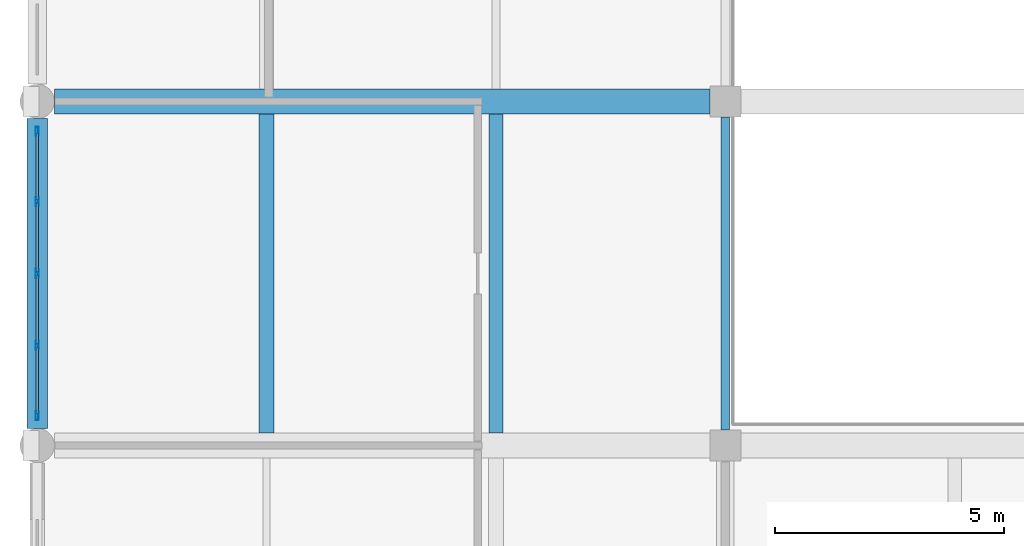
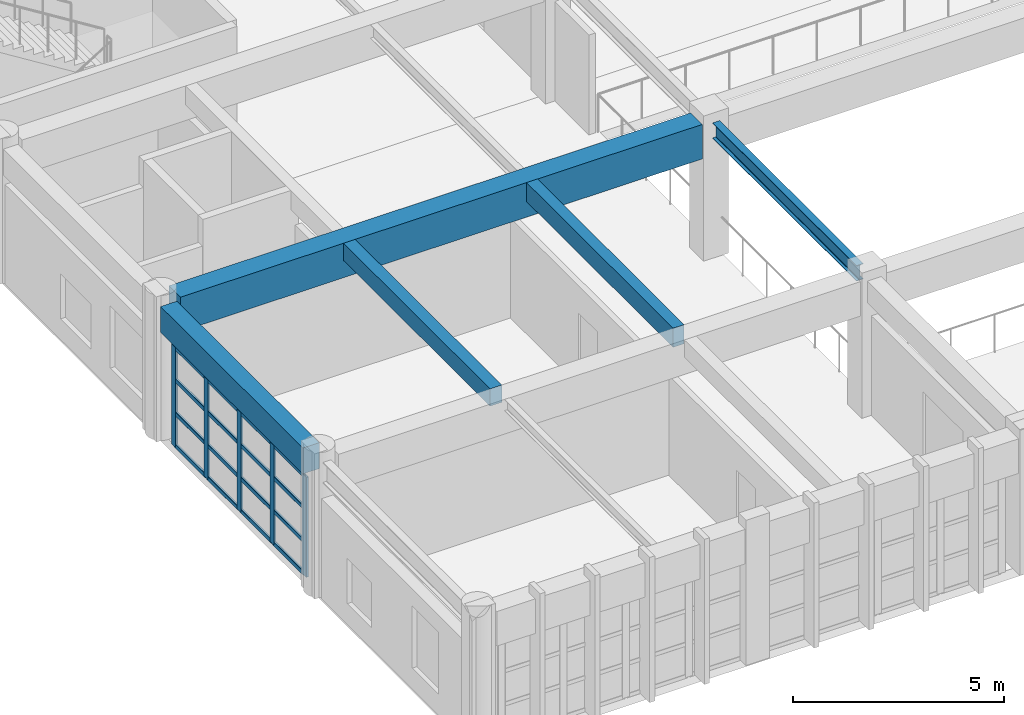
# One storey, part 5 of 132: 21 members, 5 beams, 1 element without a shape of its own.
"""IFC4 building model written with IfcOpenShell, lengths in metres."""

from ifc_helpers import new_model, si_unit, direction, frame, origin, origin_2d, place, context, subcontext, project, spatial, rectangle, hollow_rectangle, i_section, extrude, material, material_profile, profile_set, type_object, element, aggregate, save


model = new_model("IFC4")

# Units and contexts
model_context = context("Model", 3, precision=1e-05, world=origin(), true_north=direction((0.0, 1.0)))
body_context = subcontext(model_context, "Body", "Model", "MODEL_VIEW")
ifc_project = project(units=[si_unit("LENGTHUNIT", "METRE"), si_unit("AREAUNIT", "SQUARE_METRE"), si_unit("VOLUMEUNIT", "CUBIC_METRE"), si_unit("PLANEANGLEUNIT", "RADIAN"), si_unit("MASSUNIT", "GRAM", prefix="KILO")], contexts=[model_context])

# Site, building, storey
site_placement = place(None, origin())
site = spatial("IfcSite", under=ifc_project, at=site_placement, CompositionType="ELEMENT")
building_placement = place(site_placement, origin())
building = spatial("IfcBuilding", under=site, at=building_placement, Name="Qasida Concert Hall", CompositionType="ELEMENT")
storey_placement = place(building_placement, frame((0.0, 0.0, 4.800048828125)))
storey = spatial("IfcBuildingStorey", under=building, at=storey_placement, Name="L01", CompositionType="ELEMENT", Elevation=4.800048828125)

# Beams
ifc_material_1 = material(Name="Steel S355J2", Category="steel")
ifc_material_profile_1 = material_profile(ifc_material_1, i_section(OverallWidth=0.18994140625, OverallDepth=0.449951171875, WebThickness=0.009521484375, FlangeThickness=0.0146484375, FilletRadius=0.02099609375, at=origin_2d()), Name="IPE 450")
ifc_profile_set_1 = profile_set([ifc_material_profile_1], Name="Steel S355J2")
beam_type_1 = type_object("IfcBeamType", Name="BM-B5", PredefinedType="BEAM", material=ifc_profile_set_1)
beam_1_placement = place(storey_placement, frame((15.0, 7.840087890625, 3.695068359375), z_axis=(0.0, 1.0, 0.0), x_axis=(-1.0, 0.0, 0.0)))
element("IfcBeam", 1, at=beam_1_placement, inside=storey, type_object=beam_type_1, Name="L01 girder 0928", PredefinedType="BEAM", context=body_context, shape_type="SweptSolid", body=[
    extrude(i_section(OverallWidth=0.18994140625, OverallDepth=0.449951171875, WebThickness=0.009521484375, FlangeThickness=0.0146484375, FilletRadius=0.02099609375, at=origin_2d()), origin(), (0.0, 0.0, 1.0), 6.81982421875),
])
ifc_material_2 = material(Name="Concrete C40/50", Category="concrete")
ifc_material_profile_2 = material_profile(ifc_material_2, rectangle(XDim=0.550048828125, YDim=1.0, at=origin_2d()), Name="RC 550x1000")
ifc_profile_set_2 = profile_set([ifc_material_profile_2], Name="Concrete C40/50")
beam_type_2 = type_object("IfcBeamType", Name="BM-G3", PredefinedType="USERDEFINED", material=ifc_profile_set_2)
beam_2_placement = place(storey_placement, frame((0.375, 15.0, 3.419921875), z_axis=(1.0, 0.0, 0.0), x_axis=(0.0, 1.0, 0.0)))
element("IfcBeam", 2, at=beam_2_placement, inside=storey, type_object=beam_type_2, Name="Primary girder 0902", ObjectType="GIRDER", PredefinedType="USERDEFINED", context=body_context, shape_type="SweptSolid", body=[
    extrude(rectangle(XDim=0.550048828125, YDim=1.0, at=origin_2d()), origin(), (0.0, 0.0, 1.0), 14.284912109375),
])
ifc_material_profile_3 = material_profile(ifc_material_2, rectangle(XDim=0.300048828125, YDim=0.550048828125, at=origin_2d()), Name="RC 300x550")
ifc_profile_set_3 = profile_set([ifc_material_profile_3], Name="Concrete C40/50")
beam_type_3 = type_object("IfcBeamType", Name="BM-J1", PredefinedType="JOIST", material=ifc_profile_set_3)
beam_3_placement = place(storey_placement, frame((10.0, 7.77490234375, 3.64501953125), z_axis=(0.0, 1.0, 0.0), x_axis=(-1.0, 0.0, 0.0)))
element("IfcBeam", 3, at=beam_3_placement, inside=storey, type_object=beam_type_3, Name="L01 secondary joist 0951", PredefinedType="JOIST", context=body_context, shape_type="SweptSolid", body=[
    extrude(rectangle(XDim=0.300048828125, YDim=0.550048828125, at=origin_2d()), origin(), (0.0, 0.0, 1.0), 6.9501953125),
])
ifc_material_profile_4 = material_profile(ifc_material_2, rectangle(XDim=0.320068359375, YDim=0.5, at=origin_2d()), Name="RC 320x500")
ifc_profile_set_4 = profile_set([ifc_material_profile_4], Name="Concrete C40/50")
beam_type_4 = type_object("IfcBeamType", Name="BM-J7", PredefinedType="JOIST", material=ifc_profile_set_4)
beam_4_placement = place(storey_placement, frame((5.0, 7.77490234375, 3.669921875), z_axis=(0.0, 1.0, 0.0), x_axis=(-1.0, 0.0, 0.0)))
element("IfcBeam", 4, at=beam_4_placement, inside=storey, type_object=beam_type_4, Name="L01 secondary joist 0950", PredefinedType="JOIST", context=body_context, shape_type="SweptSolid", body=[
    extrude(rectangle(XDim=0.320068359375, YDim=0.5, at=origin_2d()), origin(), (0.0, 0.0, 1.0), 6.9501953125),
])
ifc_material_profile_5 = material_profile(ifc_material_2, rectangle(XDim=0.449951171875, YDim=0.75, at=origin_2d()), Name="RC 450x750")
ifc_profile_set_5 = profile_set([ifc_material_profile_5], Name="Concrete C40/50")
beam_type_5 = type_object("IfcBeamType", Name="BM-SP4", PredefinedType="SPANDREL", material=ifc_profile_set_5)
beam_5_placement = place(storey_placement, frame((0.0, 7.875, 3.544921875), z_axis=(0.0, 1.0, 0.0), x_axis=(-1.0, 0.0, 0.0)))
element("IfcBeam", 5, at=beam_5_placement, inside=storey, type_object=beam_type_5, Name="L01 girder 0921", PredefinedType="SPANDREL", context=body_context, shape_type="SweptSolid", body=[
    extrude(rectangle(XDim=0.449951171875, YDim=0.75, at=origin_2d()), origin(), (0.0, 0.0, 1.0), 6.75),
])

# Curtain wall, members
ifc_material_3 = material(Name="Architectural bronze-anodized aluminium and low-E glass", Category="aluminium")
curtain_wall_type = type_object("IfcCurtainWallType", Name="CW-07", PredefinedType="NOTDEFINED", material=ifc_material_3)
curtain_wall_placement = place(storey_placement, origin())
curtain_wall = element("IfcCurtainWall", 6, at=curtain_wall_placement, inside=storey, type_object=curtain_wall_type, Name="L01 curtain wall CW-07 0092", PredefinedType="NOTDEFINED")
ifc_material_4 = material(Name="Architectural bronze-anodized aluminium EN AW-6063", Category="aluminium")
ifc_material_profile_6 = material_profile(ifc_material_4, hollow_rectangle(XDim=0.06494140625, YDim=0.199951171875, WallThickness=0.0048828125, InnerFilletRadius=0.0048828125, OuterFilletRadius=0.010009765625, at=origin_2d()), Name="CWM 200x65x5")
ifc_profile_set_6 = profile_set([ifc_material_profile_6], Name="Architectural bronze-anodized aluminium EN AW-6063")
member_type_1 = type_object("IfcMemberType", Name="MB-CWM-2", PredefinedType="MULLION", material=ifc_profile_set_6)
member_1_placement = place(storey_placement, frame((0.0, 8.152587890625, 0.0), z_axis=(0.0, 0.0, 1.0), x_axis=(-1.0, 0.0, 0.0)))
member_1 = element("IfcMember", 7, at=member_1_placement, type_object=member_type_1, Name="CW-07 mullion 1", PredefinedType="MULLION", context=body_context, shape_type="SweptSolid", body=[
    extrude(hollow_rectangle(XDim=0.06494140625, YDim=0.199951171875, WallThickness=0.0048828125, InnerFilletRadius=0.0048828125, OuterFilletRadius=0.010009765625, at=origin_2d()), origin(), (0.0, 0.0, 1.0), 2.889892578125),
])
member_2_placement = place(storey_placement, frame((0.0, 9.68505859375, 0.0), z_axis=(0.0, 0.0, 1.0), x_axis=(-1.0, 0.0, 0.0)))
member_2 = element("IfcMember", 8, at=member_2_placement, type_object=member_type_1, Name="CW-07 mullion 2", PredefinedType="MULLION", context=body_context, shape_type="SweptSolid", body=[
    extrude(hollow_rectangle(XDim=0.06494140625, YDim=0.199951171875, WallThickness=0.0048828125, InnerFilletRadius=0.0048828125, OuterFilletRadius=0.010009765625, at=origin_2d()), origin(), (0.0, 0.0, 1.0), 2.889892578125),
])
member_3_placement = place(storey_placement, frame((0.0, 11.25, 0.0), z_axis=(0.0, 0.0, 1.0), x_axis=(-1.0, 0.0, 0.0)))
member_3 = element("IfcMember", 9, at=member_3_placement, type_object=member_type_1, Name="CW-07 mullion 3", PredefinedType="MULLION", context=body_context, shape_type="SweptSolid", body=[
    extrude(hollow_rectangle(XDim=0.06494140625, YDim=0.199951171875, WallThickness=0.0048828125, InnerFilletRadius=0.0048828125, OuterFilletRadius=0.010009765625, at=origin_2d()), origin(), (0.0, 0.0, 1.0), 2.889892578125),
])
member_4_placement = place(storey_placement, frame((0.0, 12.81494140625, 0.0), z_axis=(0.0, 0.0, 1.0), x_axis=(-1.0, 0.0, 0.0)))
member_4 = element("IfcMember", 10, at=member_4_placement, type_object=member_type_1, Name="CW-07 mullion 4", PredefinedType="MULLION", context=body_context, shape_type="SweptSolid", body=[
    extrude(hollow_rectangle(XDim=0.06494140625, YDim=0.199951171875, WallThickness=0.0048828125, InnerFilletRadius=0.0048828125, OuterFilletRadius=0.010009765625, at=origin_2d()), origin(), (0.0, 0.0, 1.0), 2.889892578125),
])
member_5_placement = place(storey_placement, frame((0.0, 14.347412109375, 0.0), z_axis=(0.0, 0.0, 1.0), x_axis=(-1.0, 0.0, 0.0)))
member_5 = element("IfcMember", 11, at=member_5_placement, type_object=member_type_1, Name="CW-07 mullion 5", PredefinedType="MULLION", context=body_context, shape_type="SweptSolid", body=[
    extrude(hollow_rectangle(XDim=0.06494140625, YDim=0.199951171875, WallThickness=0.0048828125, InnerFilletRadius=0.0048828125, OuterFilletRadius=0.010009765625, at=origin_2d()), origin(), (0.0, 0.0, 1.0), 2.889892578125),
])
ifc_material_profile_7 = material_profile(ifc_material_4, hollow_rectangle(XDim=0.06005859375, YDim=0.1201171875, WallThickness=0.00390625, InnerFilletRadius=0.00390625, OuterFilletRadius=0.008056640625, at=origin_2d()), Name="CWT 120x60x4")
ifc_profile_set_7 = profile_set([ifc_material_profile_7], Name="Architectural bronze-anodized aluminium EN AW-6063")
member_type_2 = type_object("IfcMemberType", Name="MB-CWT-2", PredefinedType="USERDEFINED", material=ifc_profile_set_7)
member_6_placement = place(storey_placement, frame((0.0, 8.18505859375, 0.030029296875), z_axis=(0.0, 1.0, 0.0), x_axis=(-1.0, 0.0, 0.0)))
member_6 = element("IfcMember", 12, at=member_6_placement, type_object=member_type_2, Name="CW-07 transom 1.1", ObjectType="TRANSOM", PredefinedType="USERDEFINED", context=body_context, shape_type="SweptSolid", body=[
    extrude(hollow_rectangle(XDim=0.06005859375, YDim=0.1201171875, WallThickness=0.00390625, InnerFilletRadius=0.00390625, OuterFilletRadius=0.008056640625, at=origin_2d()), origin(), (0.0, 0.0, 1.0), 1.467529296875),
])
member_7_placement = place(storey_placement, frame((0.0, 8.18505859375, 0.963134765625), z_axis=(0.0, 1.0, 0.0), x_axis=(-1.0, 0.0, 0.0)))
member_7 = element("IfcMember", 13, at=member_7_placement, type_object=member_type_2, Name="CW-07 transom 1.2", ObjectType="TRANSOM", PredefinedType="USERDEFINED", context=body_context, shape_type="SweptSolid", body=[
    extrude(hollow_rectangle(XDim=0.06005859375, YDim=0.1201171875, WallThickness=0.00390625, InnerFilletRadius=0.00390625, OuterFilletRadius=0.008056640625, at=origin_2d()), origin(), (0.0, 0.0, 1.0), 1.467529296875),
])
member_8_placement = place(storey_placement, frame((0.0, 8.18505859375, 1.9267578125), z_axis=(0.0, 1.0, 0.0), x_axis=(-1.0, 0.0, 0.0)))
member_8 = element("IfcMember", 14, at=member_8_placement, type_object=member_type_2, Name="CW-07 transom 1.3", ObjectType="TRANSOM", PredefinedType="USERDEFINED", context=body_context, shape_type="SweptSolid", body=[
    extrude(hollow_rectangle(XDim=0.06005859375, YDim=0.1201171875, WallThickness=0.00390625, InnerFilletRadius=0.00390625, OuterFilletRadius=0.008056640625, at=origin_2d()), origin(), (0.0, 0.0, 1.0), 1.467529296875),
])
member_9_placement = place(storey_placement, frame((0.0, 8.18505859375, 2.85986328125), z_axis=(0.0, 1.0, 0.0), x_axis=(-1.0, 0.0, 0.0)))
member_9 = element("IfcMember", 15, at=member_9_placement, type_object=member_type_2, Name="CW-07 transom 1.4", ObjectType="TRANSOM", PredefinedType="USERDEFINED", context=body_context, shape_type="SweptSolid", body=[
    extrude(hollow_rectangle(XDim=0.06005859375, YDim=0.1201171875, WallThickness=0.00390625, InnerFilletRadius=0.00390625, OuterFilletRadius=0.008056640625, at=origin_2d()), origin(), (0.0, 0.0, 1.0), 1.467529296875),
])
member_10_placement = place(storey_placement, frame((0.0, 9.717529296875, 0.030029296875), z_axis=(0.0, 1.0, 0.0), x_axis=(-1.0, 0.0, 0.0)))
member_10 = element("IfcMember", 16, at=member_10_placement, type_object=member_type_2, Name="CW-07 transom 2.1", ObjectType="TRANSOM", PredefinedType="USERDEFINED", context=body_context, shape_type="SweptSolid", body=[
    extrude(hollow_rectangle(XDim=0.06005859375, YDim=0.1201171875, WallThickness=0.00390625, InnerFilletRadius=0.00390625, OuterFilletRadius=0.008056640625, at=origin_2d()), origin(), (0.0, 0.0, 1.0), 1.5),
])
member_11_placement = place(storey_placement, frame((0.0, 9.717529296875, 0.963134765625), z_axis=(0.0, 1.0, 0.0), x_axis=(-1.0, 0.0, 0.0)))
member_11 = element("IfcMember", 17, at=member_11_placement, type_object=member_type_2, Name="CW-07 transom 2.2", ObjectType="TRANSOM", PredefinedType="USERDEFINED", context=body_context, shape_type="SweptSolid", body=[
    extrude(hollow_rectangle(XDim=0.06005859375, YDim=0.1201171875, WallThickness=0.00390625, InnerFilletRadius=0.00390625, OuterFilletRadius=0.008056640625, at=origin_2d()), origin(), (0.0, 0.0, 1.0), 1.5),
])
member_12_placement = place(storey_placement, frame((0.0, 9.717529296875, 1.9267578125), z_axis=(0.0, 1.0, 0.0), x_axis=(-1.0, 0.0, 0.0)))
member_12 = element("IfcMember", 18, at=member_12_placement, type_object=member_type_2, Name="CW-07 transom 2.3", ObjectType="TRANSOM", PredefinedType="USERDEFINED", context=body_context, shape_type="SweptSolid", body=[
    extrude(hollow_rectangle(XDim=0.06005859375, YDim=0.1201171875, WallThickness=0.00390625, InnerFilletRadius=0.00390625, OuterFilletRadius=0.008056640625, at=origin_2d()), origin(), (0.0, 0.0, 1.0), 1.5),
])
member_13_placement = place(storey_placement, frame((0.0, 9.717529296875, 2.85986328125), z_axis=(0.0, 1.0, 0.0), x_axis=(-1.0, 0.0, 0.0)))
member_13 = element("IfcMember", 19, at=member_13_placement, type_object=member_type_2, Name="CW-07 transom 2.4", ObjectType="TRANSOM", PredefinedType="USERDEFINED", context=body_context, shape_type="SweptSolid", body=[
    extrude(hollow_rectangle(XDim=0.06005859375, YDim=0.1201171875, WallThickness=0.00390625, InnerFilletRadius=0.00390625, OuterFilletRadius=0.008056640625, at=origin_2d()), origin(), (0.0, 0.0, 1.0), 1.5),
])
member_14_placement = place(storey_placement, frame((0.0, 11.282470703125, 0.030029296875), z_axis=(0.0, 1.0, 0.0), x_axis=(-1.0, 0.0, 0.0)))
member_14 = element("IfcMember", 20, at=member_14_placement, type_object=member_type_2, Name="CW-07 transom 3.1", ObjectType="TRANSOM", PredefinedType="USERDEFINED", context=body_context, shape_type="SweptSolid", body=[
    extrude(hollow_rectangle(XDim=0.06005859375, YDim=0.1201171875, WallThickness=0.00390625, InnerFilletRadius=0.00390625, OuterFilletRadius=0.008056640625, at=origin_2d()), origin(), (0.0, 0.0, 1.0), 1.5),
])
member_15_placement = place(storey_placement, frame((0.0, 11.282470703125, 0.963134765625), z_axis=(0.0, 1.0, 0.0), x_axis=(-1.0, 0.0, 0.0)))
member_15 = element("IfcMember", 21, at=member_15_placement, type_object=member_type_2, Name="CW-07 transom 3.2", ObjectType="TRANSOM", PredefinedType="USERDEFINED", context=body_context, shape_type="SweptSolid", body=[
    extrude(hollow_rectangle(XDim=0.06005859375, YDim=0.1201171875, WallThickness=0.00390625, InnerFilletRadius=0.00390625, OuterFilletRadius=0.008056640625, at=origin_2d()), origin(), (0.0, 0.0, 1.0), 1.5),
])
member_16_placement = place(storey_placement, frame((0.0, 11.282470703125, 1.9267578125), z_axis=(0.0, 1.0, 0.0), x_axis=(-1.0, 0.0, 0.0)))
member_16 = element("IfcMember", 22, at=member_16_placement, type_object=member_type_2, Name="CW-07 transom 3.3", ObjectType="TRANSOM", PredefinedType="USERDEFINED", context=body_context, shape_type="SweptSolid", body=[
    extrude(hollow_rectangle(XDim=0.06005859375, YDim=0.1201171875, WallThickness=0.00390625, InnerFilletRadius=0.00390625, OuterFilletRadius=0.008056640625, at=origin_2d()), origin(), (0.0, 0.0, 1.0), 1.5),
])
member_17_placement = place(storey_placement, frame((0.0, 11.282470703125, 2.85986328125), z_axis=(0.0, 1.0, 0.0), x_axis=(-1.0, 0.0, 0.0)))
member_17 = element("IfcMember", 23, at=member_17_placement, type_object=member_type_2, Name="CW-07 transom 3.4", ObjectType="TRANSOM", PredefinedType="USERDEFINED", context=body_context, shape_type="SweptSolid", body=[
    extrude(hollow_rectangle(XDim=0.06005859375, YDim=0.1201171875, WallThickness=0.00390625, InnerFilletRadius=0.00390625, OuterFilletRadius=0.008056640625, at=origin_2d()), origin(), (0.0, 0.0, 1.0), 1.5),
])
member_18_placement = place(storey_placement, frame((0.0, 12.847412109375, 0.030029296875), z_axis=(0.0, 1.0, 0.0), x_axis=(-1.0, 0.0, 0.0)))
member_18 = element("IfcMember", 24, at=member_18_placement, type_object=member_type_2, Name="CW-07 transom 4.1", ObjectType="TRANSOM", PredefinedType="USERDEFINED", context=body_context, shape_type="SweptSolid", body=[
    extrude(hollow_rectangle(XDim=0.06005859375, YDim=0.1201171875, WallThickness=0.00390625, InnerFilletRadius=0.00390625, OuterFilletRadius=0.008056640625, at=origin_2d()), origin(), (0.0, 0.0, 1.0), 1.467529296875),
])
member_19_placement = place(storey_placement, frame((0.0, 12.847412109375, 0.963134765625), z_axis=(0.0, 1.0, 0.0), x_axis=(-1.0, 0.0, 0.0)))
member_19 = element("IfcMember", 25, at=member_19_placement, type_object=member_type_2, Name="CW-07 transom 4.2", ObjectType="TRANSOM", PredefinedType="USERDEFINED", context=body_context, shape_type="SweptSolid", body=[
    extrude(hollow_rectangle(XDim=0.06005859375, YDim=0.1201171875, WallThickness=0.00390625, InnerFilletRadius=0.00390625, OuterFilletRadius=0.008056640625, at=origin_2d()), origin(), (0.0, 0.0, 1.0), 1.467529296875),
])
member_20_placement = place(storey_placement, frame((0.0, 12.847412109375, 1.9267578125), z_axis=(0.0, 1.0, 0.0), x_axis=(-1.0, 0.0, 0.0)))
member_20 = element("IfcMember", 26, at=member_20_placement, type_object=member_type_2, Name="CW-07 transom 4.3", ObjectType="TRANSOM", PredefinedType="USERDEFINED", context=body_context, shape_type="SweptSolid", body=[
    extrude(hollow_rectangle(XDim=0.06005859375, YDim=0.1201171875, WallThickness=0.00390625, InnerFilletRadius=0.00390625, OuterFilletRadius=0.008056640625, at=origin_2d()), origin(), (0.0, 0.0, 1.0), 1.467529296875),
])
member_21_placement = place(storey_placement, frame((0.0, 12.847412109375, 2.85986328125), z_axis=(0.0, 1.0, 0.0), x_axis=(-1.0, 0.0, 0.0)))
member_21 = element("IfcMember", 27, at=member_21_placement, type_object=member_type_2, Name="CW-07 transom 4.4", ObjectType="TRANSOM", PredefinedType="USERDEFINED", context=body_context, shape_type="SweptSolid", body=[
    extrude(hollow_rectangle(XDim=0.06005859375, YDim=0.1201171875, WallThickness=0.00390625, InnerFilletRadius=0.00390625, OuterFilletRadius=0.008056640625, at=origin_2d()), origin(), (0.0, 0.0, 1.0), 1.467529296875),
])
aggregate(curtain_wall, [member_1, member_2, member_3, member_4, member_5, member_6, member_7, member_8, member_9, member_10, member_11, member_12, member_13, member_14, member_15, member_16, member_17, member_18, member_19, member_20, member_21])

save(model, "model.ifc")
